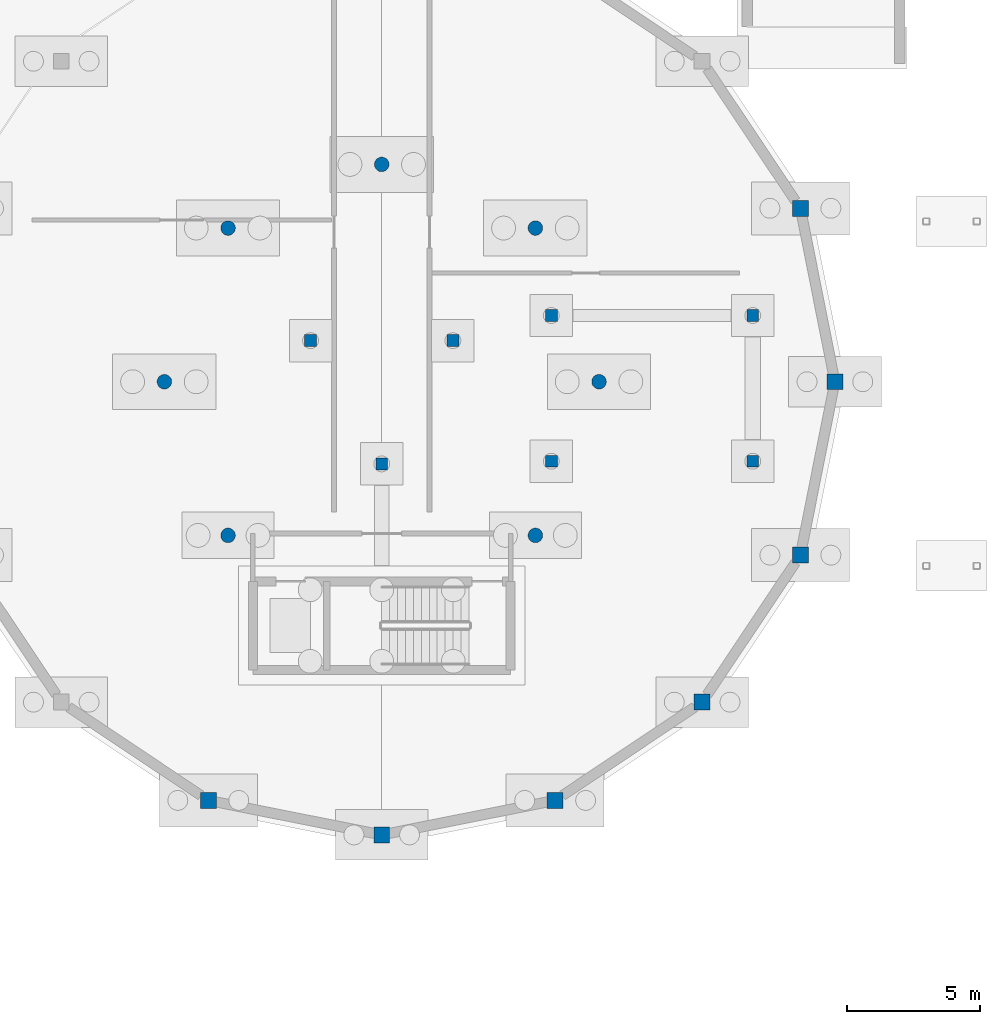
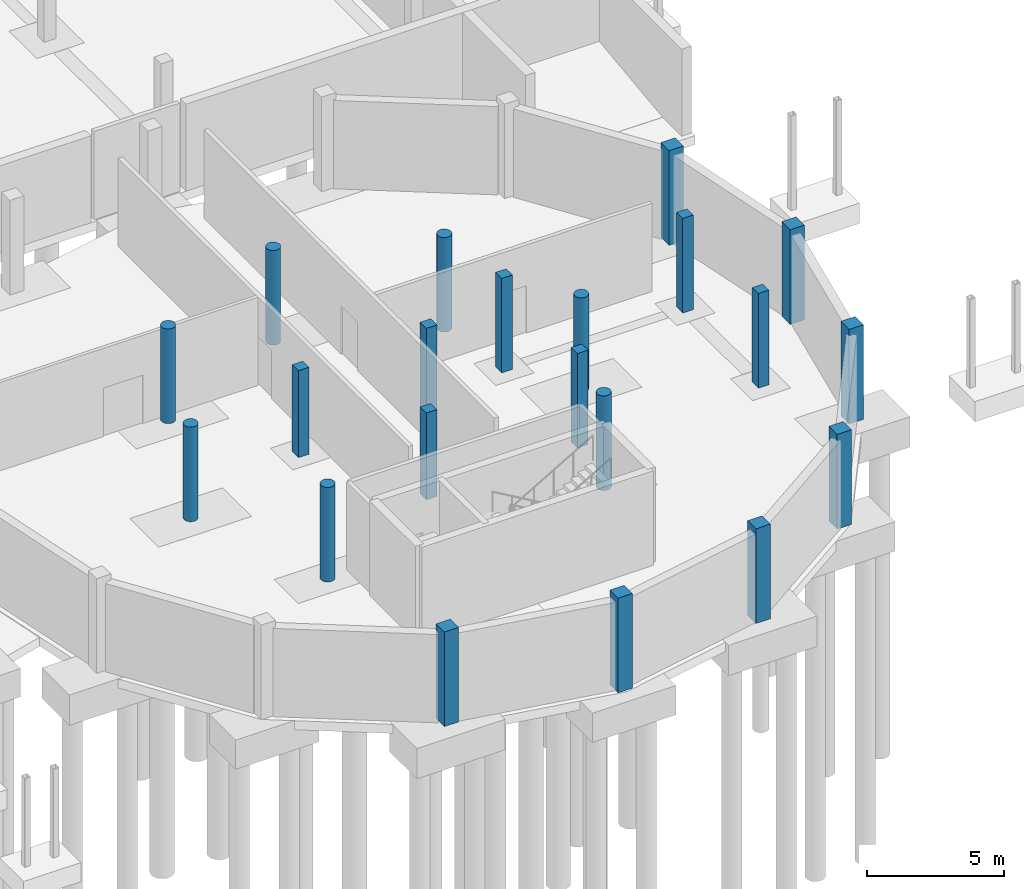
# One storey, part 21 of 43: 21 columns.
"""IFC4 building model written with IfcOpenShell, lengths in metres."""

from ifc_helpers import new_model, si_unit, direction, frame, origin, origin_2d, place, context, subcontext, project, spatial, rectangle, circle, extrude, material, material_profile, profile_set, type_object, element, save


model = new_model("IFC4")

# Units and contexts
model_context = context("Model", 3, precision=1e-05, world=origin(), true_north=direction((0.0, 1.0)))
body_context = subcontext(model_context, "Body", "Model", "MODEL_VIEW")
ifc_project = project(units=[si_unit("LENGTHUNIT", "METRE"), si_unit("AREAUNIT", "SQUARE_METRE"), si_unit("VOLUMEUNIT", "CUBIC_METRE"), si_unit("PLANEANGLEUNIT", "RADIAN"), si_unit("MASSUNIT", "GRAM", prefix="KILO")], contexts=[model_context])

# Site, building, storey
site_placement = place(None, origin())
site = spatial("IfcSite", under=ifc_project, at=site_placement, CompositionType="ELEMENT")
building_placement = place(site_placement, origin())
building = spatial("IfcBuilding", under=site, at=building_placement, Name="Vespera Passage Community Centre", CompositionType="ELEMENT")
storey_placement = place(building_placement, frame((0.0, 0.0, -4.199951171875)))
storey = spatial("IfcBuildingStorey", under=building, at=storey_placement, Name="B1", CompositionType="ELEMENT", Elevation=-4.199951171875)

# Columns
ifc_material_1 = material(Name="Concrete f'c 45 MPa", Category="concrete")
ifc_material_profile_1 = material_profile(ifc_material_1, rectangle(XDim=0.449951171875, YDim=0.449951171875, at=origin_2d()), Name="RC450X450")
ifc_profile_set_1 = profile_set([ifc_material_profile_1], Name="Concrete f'c 45 MPa")
column_type_1 = type_object("IfcColumnType", Name="COL-RC450I", PredefinedType="COLUMN", material=ifc_profile_set_1)
for number, where, z_axis, x_axis, name in (
    (1, (147.39990234375, 22.0, 0.0), (0.0, 0.0, 1.0), (1.0, 0.0, 0.0), "B1 Column V3-CONS-1"),
    (2, (155.0, 22.0, 0.0), (0.0, 0.0, 1.0), (1.0, 0.0, 0.0), "B1 Column V3-CONS-2"),
    (3, (155.0, 27.5, 0.0), (0.0, 0.0, 1.0), (1.0, 0.0, 0.0), "B1 Column V3-CONS-3"),
    (4, (147.39990234375, 27.5, 0.0), (0.0, 0.0, 1.0), (1.0, 0.0, 0.0), "B1 Column V3-CONS-4"),
):
    element("IfcColumn", number, at=place(storey_placement, frame(where, z_axis=z_axis, x_axis=x_axis)), inside=storey, type_object=column_type_1, Name=name, PredefinedType="COLUMN", context=body_context, shape_type="SweptSolid", body=[
        extrude(rectangle(XDim=0.449951171875, YDim=0.449951171875, at=origin_2d()), origin(), (0.0, 0.0, 1.0), 4.199951171875),
    ])
for number, where, z_axis, x_axis, name in (
    (5, (143.684814453125, 26.550048828125, 0.0), (0.0, 0.0, 1.0), (1.0, 0.0, 0.0), "B1 Column V3-CP1"),
    (6, (138.315185546875, 26.550048828125, 0.0), (0.0, 0.0, 1.0), (1.0, 0.0, 0.0), "B1 Column V3-CP2"),
    (7, (141.0, 21.89990234375, 0.0), (0.0, 0.0, 1.0), (1.0, 0.0, 0.0), "B1 Column V3-CP3"),
):
    element("IfcColumn", number, at=place(storey_placement, frame(where, z_axis=z_axis, x_axis=x_axis)), inside=storey, type_object=column_type_1, Name=name, PredefinedType="COLUMN", context=body_context, shape_type="SweptSolid", body=[
        extrude(rectangle(XDim=0.449951171875, YDim=0.449951171875, at=origin_2d()), origin(), (0.0, 0.0, 1.0), 3.85986328125),
    ])
ifc_material_2 = material(Name="Concrete f'c 45 MPa", Category="concrete")
ifc_material_profile_2 = material_profile(ifc_material_2, circle(Radius=0.27490234375, at=origin_2d()), Name="RC550DIA")
ifc_profile_set_2 = profile_set([ifc_material_profile_2], Name="Concrete f'c 45 MPa")
column_type_2 = type_object("IfcColumnType", Name="COL-RC550DIA", PredefinedType="COLUMN", material=ifc_profile_set_2)
for number, where, z_axis, x_axis, name in (
    (8, (149.199951171875, 25.0, 0.0), (0.0, 0.0, 1.0), (1.0, 0.0, 0.0), "B1 Column V3-I01"),
    (9, (146.79833984375, 30.79833984375, 0.0), (0.0, 0.0, 1.0), (1.0, 0.0, 0.0), "B1 Column V3-I02"),
    (10, (141.0, 33.199951171875, 0.0), (0.0, 0.0, 1.0), (1.0, 0.0, 0.0), "B1 Column V3-I03"),
    (11, (135.20166015625, 30.79833984375, 0.0), (0.0, 0.0, 1.0), (1.0, 0.0, 0.0), "B1 Column V3-I04"),
    (12, (132.800048828125, 25.0, 0.0), (0.0, 0.0, 1.0), (1.0, 0.0, 0.0), "B1 Column V3-I05"),
    (13, (135.20166015625, 19.20166015625, 0.0), (0.0, 0.0, 1.0), (1.0, 0.0, 0.0), "B1 Column V3-I06"),
    (14, (146.79833984375, 19.20166015625, 0.0), (0.0, 0.0, 1.0), (1.0, 0.0, 0.0), "B1 Column V3-I08"),
):
    element("IfcColumn", number, at=place(storey_placement, frame(where, z_axis=z_axis, x_axis=x_axis)), inside=storey, type_object=column_type_2, Name=name, PredefinedType="COLUMN", context=body_context, shape_type="SweptSolid", body=[
        extrude(circle(Radius=0.27490234375, at=origin_2d()), origin(), (0.0, 0.0, 1.0), 4.199951171875),
    ])
ifc_material_3 = material(Name="Concrete f'c 45 MPa", Category="concrete")
ifc_material_profile_3 = material_profile(ifc_material_3, rectangle(XDim=0.60009765625, YDim=0.60009765625, at=origin_2d()), Name="RC600X600")
ifc_profile_set_3 = profile_set([ifc_material_profile_3], Name="Concrete f'c 45 MPa")
column_type_3 = type_object("IfcColumnType", Name="COL-RC600E", PredefinedType="COLUMN", material=ifc_profile_set_3)
for number, where, z_axis, x_axis, name in (
    (15, (158.10009765625, 25.0, 0.0), (0.0, 0.0, 1.0), (1.0, 0.0, 0.0), "B1 Column V3-P01"),
    (16, (156.79833984375, 31.5439453125, 0.0), (0.0, 0.0, 1.0), (1.0, 0.0, 0.0), "B1 Column V3-P02"),
    (17, (134.4560546875, 9.20166015625, 0.0), (0.0, 0.0, 1.0), (1.0, 0.0, 0.0), "B1 Column V3-P12"),
    (18, (141.0, 7.89990234375, 0.0), (0.0, 0.0, 1.0), (1.0, 0.0, 0.0), "B1 Column V3-P13"),
    (19, (147.5439453125, 9.20166015625, 0.0), (0.0, 0.0, 1.0), (1.0, 0.0, 0.0), "B1 Column V3-P14"),
    (20, (153.091552734375, 12.908447265625, 0.0), (0.0, 0.0, 1.0), (1.0, 0.0, 0.0), "B1 Column V3-P15"),
    (21, (156.79833984375, 18.4560546875, 0.0), (0.0, 0.0, 1.0), (1.0, 0.0, 0.0), "B1 Column V3-P16"),
):
    element("IfcColumn", number, at=place(storey_placement, frame(where, z_axis=z_axis, x_axis=x_axis)), inside=storey, type_object=column_type_3, Name=name, PredefinedType="COLUMN", context=body_context, shape_type="SweptSolid", body=[
        extrude(rectangle(XDim=0.60009765625, YDim=0.60009765625, at=origin_2d()), origin(), (0.0, 0.0, 1.0), 4.199951171875),
    ])

save(model, "model.ifc")
